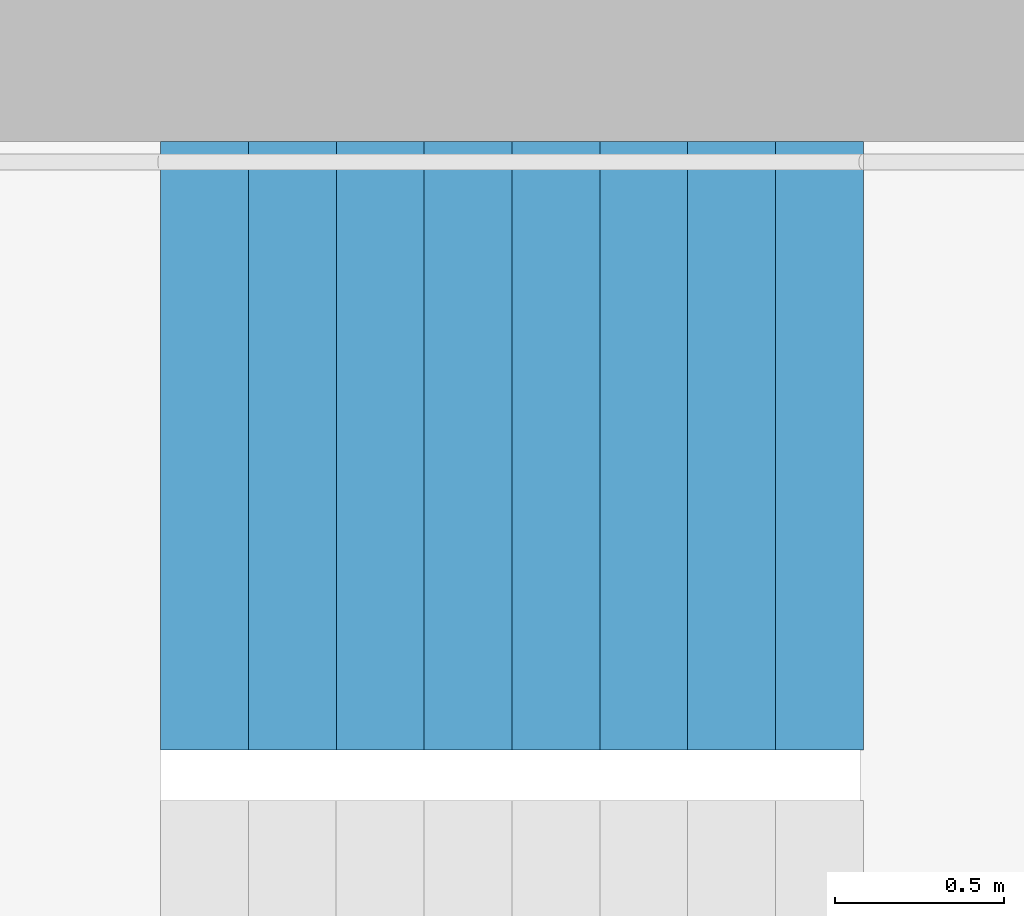
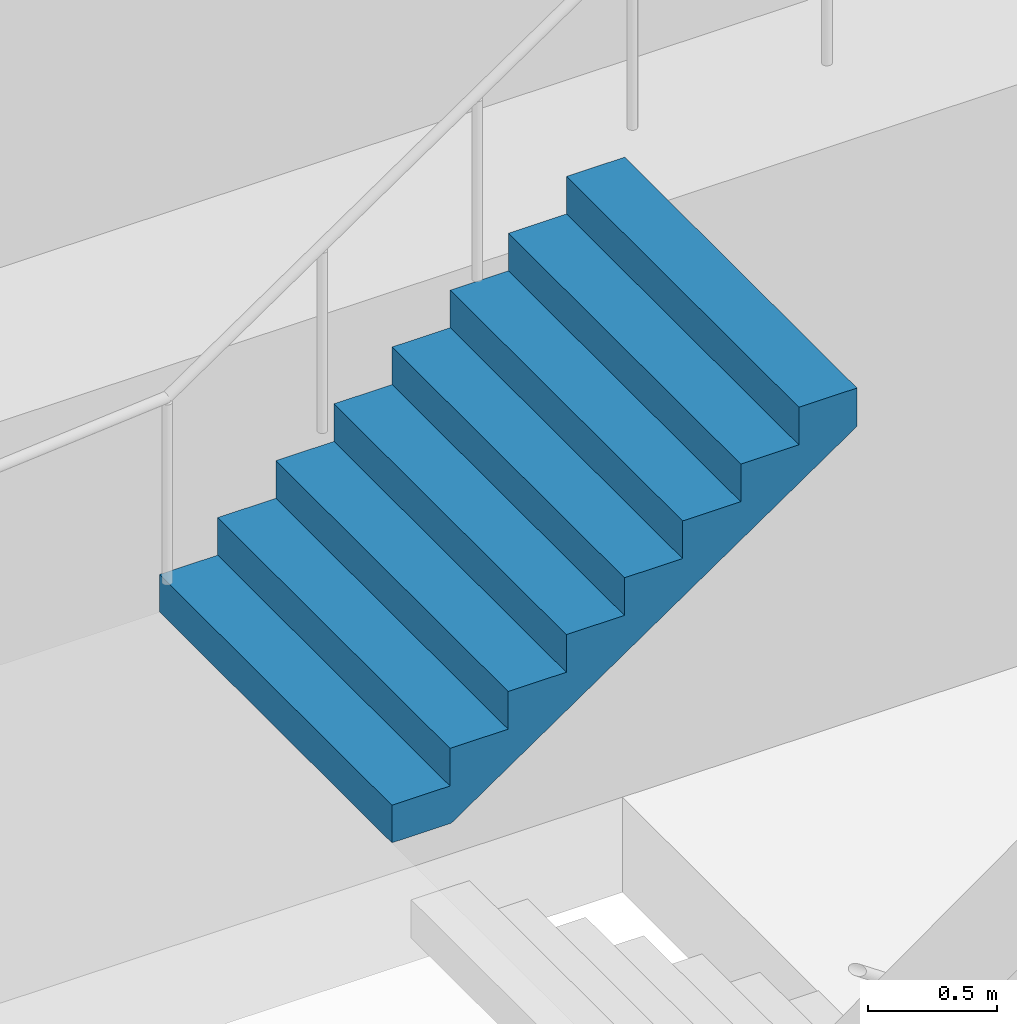
# One storey, part 24 of 25: 1 stair flight, 1 element without a shape of its own.
"""IFC4 building model written with IfcOpenShell, lengths in metres."""

from ifc_helpers import new_model, si_unit, direction, frame, origin, place, context, subcontext, project, spatial, triangles, material, type_object, element, aggregate, save


model = new_model("IFC4")

# Units and contexts
model_context = context("Model", 3, precision=1e-05, world=origin(), true_north=direction((0.0, 1.0)))
body_context = subcontext(model_context, "Body", "Model", "MODEL_VIEW")
ifc_project = project(units=[si_unit("LENGTHUNIT", "METRE"), si_unit("AREAUNIT", "SQUARE_METRE"), si_unit("VOLUMEUNIT", "CUBIC_METRE"), si_unit("PLANEANGLEUNIT", "RADIAN"), si_unit("MASSUNIT", "GRAM", prefix="KILO")], contexts=[model_context])

# Site, building, storey
site_placement = place(None, origin())
site = spatial("IfcSite", under=ifc_project, at=site_placement, CompositionType="ELEMENT")
building_placement = place(site_placement, origin())
building = spatial("IfcBuilding", under=site, at=building_placement, Name="Hakoniwa Tower and Hamabe Station Hall", CompositionType="ELEMENT")
storey_placement = place(building_placement, frame((0.0, 0.0, 147.0)))
storey = spatial("IfcBuildingStorey", under=building, at=storey_placement, Name="L41", CompositionType="ELEMENT", Elevation=147.0)

# Stair, stair flight
ifc_material_1 = material(Name="Concrete C40", Category="concrete")
stair_type = type_object("IfcStairType", Name="ESCAPE STAIR 1800", PredefinedType="HALF_TURN_STAIR", material=ifc_material_1)
stair_placement = place(storey_placement, origin())
stair = element("IfcStair", 1, at=stair_placement, inside=storey, type_object=stair_type, Name="Escape stair ST-3 L41", PredefinedType="HALF_TURN_STAIR")
ifc_material_2 = material(Name="Concrete C40", Category="concrete")
stair_flight_type = type_object("IfcStairFlightType", Name="STAIR FLIGHT 1800", PredefinedType="STRAIGHT", material=ifc_material_2)
stair_flight_placement = place(storey_placement, frame((22.320068359375, 6.60009765625, 1.60009765625), z_axis=(0.0, 0.0, 1.0), x_axis=(1.0, 0.0, 0.0)))
stair_flight = element("IfcStairFlight", 2, at=stair_flight_placement, type_object=stair_flight_type, Name="ST-3 flight 2", NumberOfRisers=9, NumberOfTreads=8, PredefinedType="STRAIGHT", RiserHeight=0.177777778, TreadLength=0.26, context=body_context, shape_type="Tessellation", body=[
    triangles([(0.0, 0.89990234375, 0.0), (0.260009765625, 0.89990234375, 0.0), (0.265625, 0.89990234375, 0.0), (0.52001953125, 0.89990234375, 0.174072265625), (0.780029296875, 0.89990234375, 0.351806640625), (1.0400390625, 0.89990234375, 0.529541015625), (1.300048828125, 0.89990234375, 0.707275390625), (1.56005859375, 0.89990234375, 0.885009765625), (1.820068359375, 0.89990234375, 1.062744140625), (2.080078125, 0.89990234375, 1.24072265625), (2.080078125, 0.89990234375, 1.422119140625), (1.820068359375, 0.89990234375, 1.422119140625), (1.820068359375, 0.89990234375, 1.244384765625), (1.56005859375, 0.89990234375, 1.244384765625), (1.56005859375, 0.89990234375, 1.066650390625), (1.300048828125, 0.89990234375, 1.066650390625), (1.300048828125, 0.89990234375, 0.888916015625), (1.0400390625, 0.89990234375, 0.888916015625), (1.0400390625, 0.89990234375, 0.711181640625), (0.780029296875, 0.89990234375, 0.711181640625), (0.780029296875, 0.89990234375, 0.533447265625), (0.52001953125, 0.89990234375, 0.533447265625), (0.52001953125, 0.89990234375, 0.35546875), (0.265625, 0.89990234375, 0.35546875), (0.260009765625, 0.89990234375, 0.35546875), (0.260009765625, 0.89990234375, 0.177734375), (0.0, 0.89990234375, 0.177734375), (0.0, 0.06005859375, 0.0), (0.260009765625, 0.06005859375, 0.0), (0.265625, 0.06005859375, 0.0), (0.52001953125, 0.06005859375, 0.174072265625), (0.780029296875, 0.06005859375, 0.351806640625), (1.0400390625, 0.06005859375, 0.529541015625), (1.300048828125, 0.06005859375, 0.707275390625), (1.56005859375, 0.06005859375, 0.885009765625), (1.820068359375, 0.06005859375, 1.062744140625), (2.080078125, 0.06005859375, 1.24072265625), (2.080078125, 0.06005859375, 1.422119140625), (1.820068359375, 0.06005859375, 1.422119140625), (1.820068359375, 0.06005859375, 1.244384765625), (1.56005859375, 0.06005859375, 1.244384765625), (1.56005859375, 0.06005859375, 1.066650390625), (1.300048828125, 0.06005859375, 1.066650390625), (1.300048828125, 0.06005859375, 0.888916015625), (1.0400390625, 0.06005859375, 0.888916015625), (1.0400390625, 0.06005859375, 0.711181640625), (0.780029296875, 0.06005859375, 0.711181640625), (0.780029296875, 0.06005859375, 0.533447265625), (0.52001953125, 0.06005859375, 0.533447265625), (0.52001953125, 0.06005859375, 0.35546875), (0.265625, 0.06005859375, 0.35546875), (0.260009765625, 0.06005859375, 0.35546875), (0.260009765625, 0.06005859375, 0.177734375), (0.0, 0.06005859375, 0.177734375), (0.0, 0.04296875, 0.0), (0.260009765625, 0.04296875, 0.0), (0.265625, 0.04296875, 0.0), (0.52001953125, 0.04296875, 0.174072265625), (0.780029296875, 0.04296875, 0.351806640625), (1.0400390625, 0.04296875, 0.529541015625), (1.300048828125, 0.04296875, 0.707275390625), (1.56005859375, 0.04296875, 0.885009765625), (1.820068359375, 0.04296875, 1.062744140625), (2.080078125, 0.04296875, 1.24072265625), (2.080078125, 0.04296875, 1.422119140625), (1.820068359375, 0.04296875, 1.422119140625), (1.820068359375, 0.04296875, 1.244384765625), (1.56005859375, 0.04296875, 1.244384765625), (1.56005859375, 0.04296875, 1.066650390625), (1.300048828125, 0.04296875, 1.066650390625), (1.300048828125, 0.04296875, 0.888916015625), (1.0400390625, 0.04296875, 0.888916015625), (1.0400390625, 0.04296875, 0.711181640625), (0.780029296875, 0.04296875, 0.711181640625), (0.780029296875, 0.04296875, 0.533447265625), (0.52001953125, 0.04296875, 0.533447265625), (0.52001953125, 0.04296875, 0.35546875), (0.265625, 0.04296875, 0.35546875), (0.260009765625, 0.04296875, 0.35546875), (0.260009765625, 0.04296875, 0.177734375), (0.0, 0.04296875, 0.177734375), (0.0, 0.025634765625, 0.0), (0.260009765625, 0.025634765625, 0.0), (0.265625, 0.025634765625, 0.0), (0.52001953125, 0.025634765625, 0.174072265625), (0.780029296875, 0.025634765625, 0.351806640625), (1.0400390625, 0.025634765625, 0.529541015625), (1.300048828125, 0.025634765625, 0.707275390625), (1.56005859375, 0.025634765625, 0.885009765625), (1.820068359375, 0.025634765625, 1.062744140625), (2.080078125, 0.025634765625, 1.24072265625), (2.080078125, 0.025634765625, 1.422119140625), (1.820068359375, 0.025634765625, 1.422119140625), (1.820068359375, 0.025634765625, 1.244384765625), (1.56005859375, 0.025634765625, 1.244384765625), (1.56005859375, 0.025634765625, 1.066650390625), (1.300048828125, 0.025634765625, 1.066650390625), (1.300048828125, 0.025634765625, 0.888916015625), (1.0400390625, 0.025634765625, 0.888916015625), (1.0400390625, 0.025634765625, 0.711181640625), (0.780029296875, 0.025634765625, 0.711181640625), (0.780029296875, 0.025634765625, 0.533447265625), (0.52001953125, 0.025634765625, 0.533447265625), (0.52001953125, 0.025634765625, 0.35546875), (0.265625, 0.025634765625, 0.35546875), (0.260009765625, 0.025634765625, 0.35546875), (0.260009765625, 0.025634765625, 0.177734375), (0.0, 0.025634765625, 0.177734375), (0.0, 0.008544921875, 0.0), (0.260009765625, 0.008544921875, 0.0), (0.265625, 0.008544921875, 0.0), (0.52001953125, 0.008544921875, 0.174072265625), (0.780029296875, 0.008544921875, 0.351806640625), (1.0400390625, 0.008544921875, 0.529541015625), (1.300048828125, 0.008544921875, 0.707275390625), (1.56005859375, 0.008544921875, 0.885009765625), (1.820068359375, 0.008544921875, 1.062744140625), (2.080078125, 0.008544921875, 1.24072265625), (2.080078125, 0.008544921875, 1.422119140625), (1.820068359375, 0.008544921875, 1.422119140625), (1.820068359375, 0.008544921875, 1.244384765625), (1.56005859375, 0.008544921875, 1.244384765625), (1.56005859375, 0.008544921875, 1.066650390625), (1.300048828125, 0.008544921875, 1.066650390625), (1.300048828125, 0.008544921875, 0.888916015625), (1.0400390625, 0.008544921875, 0.888916015625), (1.0400390625, 0.008544921875, 0.711181640625), (0.780029296875, 0.008544921875, 0.711181640625), (0.780029296875, 0.008544921875, 0.533447265625), (0.52001953125, 0.008544921875, 0.533447265625), (0.52001953125, 0.008544921875, 0.35546875), (0.265625, 0.008544921875, 0.35546875), (0.260009765625, 0.008544921875, 0.35546875), (0.260009765625, 0.008544921875, 0.177734375), (0.0, 0.008544921875, 0.177734375), (0.0, -0.008544921875, 0.0), (0.260009765625, -0.008544921875, 0.0), (0.265625, -0.008544921875, 0.0), (0.52001953125, -0.008544921875, 0.174072265625), (0.780029296875, -0.008544921875, 0.351806640625), (1.0400390625, -0.008544921875, 0.529541015625), (1.300048828125, -0.008544921875, 0.707275390625), (1.56005859375, -0.008544921875, 0.885009765625), (1.820068359375, -0.008544921875, 1.062744140625), (2.080078125, -0.008544921875, 1.24072265625), (2.080078125, -0.008544921875, 1.422119140625), (1.820068359375, -0.008544921875, 1.422119140625), (1.820068359375, -0.008544921875, 1.244384765625), (1.56005859375, -0.008544921875, 1.244384765625), (1.56005859375, -0.008544921875, 1.066650390625), (1.300048828125, -0.008544921875, 1.066650390625), (1.300048828125, -0.008544921875, 0.888916015625), (1.0400390625, -0.008544921875, 0.888916015625), (1.0400390625, -0.008544921875, 0.711181640625), (0.780029296875, -0.008544921875, 0.711181640625), (0.780029296875, -0.008544921875, 0.533447265625), (0.52001953125, -0.008544921875, 0.533447265625), (0.52001953125, -0.008544921875, 0.35546875), (0.265625, -0.008544921875, 0.35546875), (0.260009765625, -0.008544921875, 0.35546875), (0.260009765625, -0.008544921875, 0.177734375), (0.0, -0.008544921875, 0.177734375), (0.0, -0.025634765625, 0.0), (0.260009765625, -0.025634765625, 0.0), (0.265625, -0.025634765625, 0.0), (0.52001953125, -0.025634765625, 0.174072265625), (0.780029296875, -0.025634765625, 0.351806640625), (1.0400390625, -0.025634765625, 0.529541015625), (1.300048828125, -0.025634765625, 0.707275390625), (1.56005859375, -0.025634765625, 0.885009765625), (1.820068359375, -0.025634765625, 1.062744140625), (2.080078125, -0.025634765625, 1.24072265625), (2.080078125, -0.025634765625, 1.422119140625), (1.820068359375, -0.025634765625, 1.422119140625), (1.820068359375, -0.025634765625, 1.244384765625), (1.56005859375, -0.025634765625, 1.244384765625), (1.56005859375, -0.025634765625, 1.066650390625), (1.300048828125, -0.025634765625, 1.066650390625), (1.300048828125, -0.025634765625, 0.888916015625), (1.0400390625, -0.025634765625, 0.888916015625), (1.0400390625, -0.025634765625, 0.711181640625), (0.780029296875, -0.025634765625, 0.711181640625), (0.780029296875, -0.025634765625, 0.533447265625), (0.52001953125, -0.025634765625, 0.533447265625), (0.52001953125, -0.025634765625, 0.35546875), (0.265625, -0.025634765625, 0.35546875), (0.260009765625, -0.025634765625, 0.35546875), (0.260009765625, -0.025634765625, 0.177734375), (0.0, -0.025634765625, 0.177734375), (0.0, -0.04296875, 0.0), (0.260009765625, -0.04296875, 0.0), (0.265625, -0.04296875, 0.0), (0.52001953125, -0.04296875, 0.174072265625), (0.780029296875, -0.04296875, 0.351806640625), (1.0400390625, -0.04296875, 0.529541015625), (1.300048828125, -0.04296875, 0.707275390625), (1.56005859375, -0.04296875, 0.885009765625), (1.820068359375, -0.04296875, 1.062744140625), (2.080078125, -0.04296875, 1.24072265625), (2.080078125, -0.04296875, 1.422119140625), (1.820068359375, -0.04296875, 1.422119140625), (1.820068359375, -0.04296875, 1.244384765625), (1.56005859375, -0.04296875, 1.244384765625), (1.56005859375, -0.04296875, 1.066650390625), (1.300048828125, -0.04296875, 1.066650390625), (1.300048828125, -0.04296875, 0.888916015625), (1.0400390625, -0.04296875, 0.888916015625), (1.0400390625, -0.04296875, 0.711181640625), (0.780029296875, -0.04296875, 0.711181640625), (0.780029296875, -0.04296875, 0.533447265625), (0.52001953125, -0.04296875, 0.533447265625), (0.52001953125, -0.04296875, 0.35546875), (0.265625, -0.04296875, 0.35546875), (0.260009765625, -0.04296875, 0.35546875), (0.260009765625, -0.04296875, 0.177734375), (0.0, -0.04296875, 0.177734375), (0.0, -0.06005859375, 0.0), (0.260009765625, -0.06005859375, 0.0), (0.265625, -0.06005859375, 0.0), (0.52001953125, -0.06005859375, 0.174072265625), (0.780029296875, -0.06005859375, 0.351806640625), (1.0400390625, -0.06005859375, 0.529541015625), (1.300048828125, -0.06005859375, 0.707275390625), (1.56005859375, -0.06005859375, 0.885009765625), (1.820068359375, -0.06005859375, 1.062744140625), (2.080078125, -0.06005859375, 1.24072265625), (2.080078125, -0.06005859375, 1.422119140625), (1.820068359375, -0.06005859375, 1.422119140625), (1.820068359375, -0.06005859375, 1.244384765625), (1.56005859375, -0.06005859375, 1.244384765625), (1.56005859375, -0.06005859375, 1.066650390625), (1.300048828125, -0.06005859375, 1.066650390625), (1.300048828125, -0.06005859375, 0.888916015625), (1.0400390625, -0.06005859375, 0.888916015625), (1.0400390625, -0.06005859375, 0.711181640625), (0.780029296875, -0.06005859375, 0.711181640625), (0.780029296875, -0.06005859375, 0.533447265625), (0.52001953125, -0.06005859375, 0.533447265625), (0.52001953125, -0.06005859375, 0.35546875), (0.265625, -0.06005859375, 0.35546875), (0.260009765625, -0.06005859375, 0.35546875), (0.260009765625, -0.06005859375, 0.177734375), (0.0, -0.06005859375, 0.177734375), (0.0, -0.89990234375, 0.0), (0.260009765625, -0.89990234375, 0.0), (0.265625, -0.89990234375, 0.0), (0.52001953125, -0.89990234375, 0.174072265625), (0.780029296875, -0.89990234375, 0.351806640625), (1.0400390625, -0.89990234375, 0.529541015625), (1.300048828125, -0.89990234375, 0.707275390625), (1.56005859375, -0.89990234375, 0.885009765625), (1.820068359375, -0.89990234375, 1.062744140625), (2.080078125, -0.89990234375, 1.24072265625), (2.080078125, -0.89990234375, 1.422119140625), (1.820068359375, -0.89990234375, 1.422119140625), (1.820068359375, -0.89990234375, 1.244384765625), (1.56005859375, -0.89990234375, 1.244384765625), (1.56005859375, -0.89990234375, 1.066650390625), (1.300048828125, -0.89990234375, 1.066650390625), (1.300048828125, -0.89990234375, 0.888916015625), (1.0400390625, -0.89990234375, 0.888916015625), (1.0400390625, -0.89990234375, 0.711181640625), (0.780029296875, -0.89990234375, 0.711181640625), (0.780029296875, -0.89990234375, 0.533447265625), (0.52001953125, -0.89990234375, 0.533447265625), (0.52001953125, -0.89990234375, 0.35546875), (0.265625, -0.89990234375, 0.35546875), (0.260009765625, -0.89990234375, 0.35546875), (0.260009765625, -0.89990234375, 0.177734375), (0.0, -0.89990234375, 0.177734375)], [[2, 27, 26], [245, 269, 270], [2, 1, 27], [245, 270, 244], [3, 25, 24], [246, 267, 268], [3, 26, 25], [246, 268, 269], [3, 2, 26], [246, 269, 245], [4, 24, 23], [247, 266, 267], [4, 3, 24], [247, 267, 246], [5, 22, 21], [248, 264, 265], [5, 23, 22], [248, 265, 266], [5, 4, 23], [248, 266, 247], [6, 20, 19], [249, 262, 263], [6, 21, 20], [249, 263, 264], [6, 5, 21], [249, 264, 248], [7, 18, 17], [250, 260, 261], [7, 19, 18], [250, 261, 262], [7, 6, 19], [250, 262, 249], [8, 16, 15], [251, 258, 259], [8, 17, 16], [251, 259, 260], [8, 7, 17], [251, 260, 250], [9, 14, 13], [252, 256, 257], [9, 15, 14], [252, 257, 258], [9, 8, 15], [252, 258, 251], [10, 12, 11], [253, 254, 255], [10, 13, 12], [253, 255, 256], [10, 9, 13], [253, 256, 252], [1, 2, 29], [1, 29, 28], [28, 29, 56], [28, 56, 55], [55, 56, 83], [55, 83, 82], [82, 83, 110], [82, 110, 109], [109, 110, 137], [109, 137, 136], [136, 137, 164], [136, 164, 163], [163, 164, 191], [163, 191, 190], [190, 191, 218], [190, 218, 217], [217, 218, 245], [217, 245, 244], [2, 3, 30], [2, 30, 29], [29, 30, 57], [29, 57, 56], [56, 57, 84], [56, 84, 83], [83, 84, 111], [83, 111, 110], [110, 111, 138], [110, 138, 137], [137, 138, 165], [137, 165, 164], [164, 165, 192], [164, 192, 191], [191, 192, 219], [191, 219, 218], [218, 219, 246], [218, 246, 245], [3, 4, 31], [3, 31, 30], [30, 31, 58], [30, 58, 57], [57, 58, 85], [57, 85, 84], [84, 85, 112], [84, 112, 111], [111, 112, 139], [111, 139, 138], [138, 139, 166], [138, 166, 165], [165, 166, 193], [165, 193, 192], [192, 193, 220], [192, 220, 219], [219, 220, 247], [219, 247, 246], [4, 5, 32], [4, 32, 31], [31, 32, 59], [31, 59, 58], [58, 59, 86], [58, 86, 85], [85, 86, 113], [85, 113, 112], [112, 113, 140], [112, 140, 139], [139, 140, 167], [139, 167, 166], [166, 167, 194], [166, 194, 193], [193, 194, 221], [193, 221, 220], [220, 221, 248], [220, 248, 247], [5, 6, 33], [5, 33, 32], [32, 33, 60], [32, 60, 59], [59, 60, 87], [59, 87, 86], [86, 87, 114], [86, 114, 113], [113, 114, 141], [113, 141, 140], [140, 141, 168], [140, 168, 167], [167, 168, 195], [167, 195, 194], [194, 195, 222], [194, 222, 221], [221, 222, 249], [221, 249, 248], [6, 7, 34], [6, 34, 33], [33, 34, 61], [33, 61, 60], [60, 61, 88], [60, 88, 87], [87, 88, 115], [87, 115, 114], [114, 115, 142], [114, 142, 141], [141, 142, 169], [141, 169, 168], [168, 169, 196], [168, 196, 195], [195, 196, 223], [195, 223, 222], [222, 223, 250], [222, 250, 249], [7, 8, 35], [7, 35, 34], [34, 35, 62], [34, 62, 61], [61, 62, 89], [61, 89, 88], [88, 89, 116], [88, 116, 115], [115, 116, 143], [115, 143, 142], [142, 143, 170], [142, 170, 169], [169, 170, 197], [169, 197, 196], [196, 197, 224], [196, 224, 223], [223, 224, 251], [223, 251, 250], [8, 9, 36], [8, 36, 35], [35, 36, 63], [35, 63, 62], [62, 63, 90], [62, 90, 89], [89, 90, 117], [89, 117, 116], [116, 117, 144], [116, 144, 143], [143, 144, 171], [143, 171, 170], [170, 171, 198], [170, 198, 197], [197, 198, 225], [197, 225, 224], [224, 225, 252], [224, 252, 251], [9, 10, 37], [9, 37, 36], [36, 37, 64], [36, 64, 63], [63, 64, 91], [63, 91, 90], [90, 91, 118], [90, 118, 117], [117, 118, 145], [117, 145, 144], [144, 145, 172], [144, 172, 171], [171, 172, 199], [171, 199, 198], [198, 199, 226], [198, 226, 225], [225, 226, 253], [225, 253, 252], [10, 11, 38], [10, 38, 37], [37, 38, 65], [37, 65, 64], [64, 65, 92], [64, 92, 91], [91, 92, 119], [91, 119, 118], [118, 119, 146], [118, 146, 145], [145, 146, 173], [145, 173, 172], [172, 173, 200], [172, 200, 199], [199, 200, 227], [199, 227, 226], [226, 227, 254], [226, 254, 253], [11, 12, 39], [11, 39, 38], [38, 39, 66], [38, 66, 65], [65, 66, 93], [65, 93, 92], [92, 93, 120], [92, 120, 119], [119, 120, 147], [119, 147, 146], [146, 147, 174], [146, 174, 173], [173, 174, 201], [173, 201, 200], [200, 201, 228], [200, 228, 227], [227, 228, 255], [227, 255, 254], [12, 13, 40], [12, 40, 39], [39, 40, 67], [39, 67, 66], [66, 67, 94], [66, 94, 93], [93, 94, 121], [93, 121, 120], [120, 121, 148], [120, 148, 147], [147, 148, 175], [147, 175, 174], [174, 175, 202], [174, 202, 201], [201, 202, 229], [201, 229, 228], [228, 229, 256], [228, 256, 255], [13, 14, 41], [13, 41, 40], [40, 41, 68], [40, 68, 67], [67, 68, 95], [67, 95, 94], [94, 95, 122], [94, 122, 121], [121, 122, 149], [121, 149, 148], [148, 149, 176], [148, 176, 175], [175, 176, 203], [175, 203, 202], [202, 203, 230], [202, 230, 229], [229, 230, 257], [229, 257, 256], [14, 15, 42], [14, 42, 41], [41, 42, 69], [41, 69, 68], [68, 69, 96], [68, 96, 95], [95, 96, 123], [95, 123, 122], [122, 123, 150], [122, 150, 149], [149, 150, 177], [149, 177, 176], [176, 177, 204], [176, 204, 203], [203, 204, 231], [203, 231, 230], [230, 231, 258], [230, 258, 257], [15, 16, 43], [15, 43, 42], [42, 43, 70], [42, 70, 69], [69, 70, 97], [69, 97, 96], [96, 97, 124], [96, 124, 123], [123, 124, 151], [123, 151, 150], [150, 151, 178], [150, 178, 177], [177, 178, 205], [177, 205, 204], [204, 205, 232], [204, 232, 231], [231, 232, 259], [231, 259, 258], [16, 17, 44], [16, 44, 43], [43, 44, 71], [43, 71, 70], [70, 71, 98], [70, 98, 97], [97, 98, 125], [97, 125, 124], [124, 125, 152], [124, 152, 151], [151, 152, 179], [151, 179, 178], [178, 179, 206], [178, 206, 205], [205, 206, 233], [205, 233, 232], [232, 233, 260], [232, 260, 259], [17, 18, 45], [17, 45, 44], [44, 45, 72], [44, 72, 71], [71, 72, 99], [71, 99, 98], [98, 99, 126], [98, 126, 125], [125, 126, 153], [125, 153, 152], [152, 153, 180], [152, 180, 179], [179, 180, 207], [179, 207, 206], [206, 207, 234], [206, 234, 233], [233, 234, 261], [233, 261, 260], [18, 19, 46], [18, 46, 45], [45, 46, 73], [45, 73, 72], [72, 73, 100], [72, 100, 99], [99, 100, 127], [99, 127, 126], [126, 127, 154], [126, 154, 153], [153, 154, 181], [153, 181, 180], [180, 181, 208], [180, 208, 207], [207, 208, 235], [207, 235, 234], [234, 235, 262], [234, 262, 261], [19, 20, 47], [19, 47, 46], [46, 47, 74], [46, 74, 73], [73, 74, 101], [73, 101, 100], [100, 101, 128], [100, 128, 127], [127, 128, 155], [127, 155, 154], [154, 155, 182], [154, 182, 181], [181, 182, 209], [181, 209, 208], [208, 209, 236], [208, 236, 235], [235, 236, 263], [235, 263, 262], [20, 21, 48], [20, 48, 47], [47, 48, 75], [47, 75, 74], [74, 75, 102], [74, 102, 101], [101, 102, 129], [101, 129, 128], [128, 129, 156], [128, 156, 155], [155, 156, 183], [155, 183, 182], [182, 183, 210], [182, 210, 209], [209, 210, 237], [209, 237, 236], [236, 237, 264], [236, 264, 263], [21, 22, 49], [21, 49, 48], [48, 49, 76], [48, 76, 75], [75, 76, 103], [75, 103, 102], [102, 103, 130], [102, 130, 129], [129, 130, 157], [129, 157, 156], [156, 157, 184], [156, 184, 183], [183, 184, 211], [183, 211, 210], [210, 211, 238], [210, 238, 237], [237, 238, 265], [237, 265, 264], [22, 23, 50], [22, 50, 49], [49, 50, 77], [49, 77, 76], [76, 77, 104], [76, 104, 103], [103, 104, 131], [103, 131, 130], [130, 131, 158], [130, 158, 157], [157, 158, 185], [157, 185, 184], [184, 185, 212], [184, 212, 211], [211, 212, 239], [211, 239, 238], [238, 239, 266], [238, 266, 265], [23, 24, 51], [23, 51, 50], [50, 51, 78], [50, 78, 77], [77, 78, 105], [77, 105, 104], [104, 105, 132], [104, 132, 131], [131, 132, 159], [131, 159, 158], [158, 159, 186], [158, 186, 185], [185, 186, 213], [185, 213, 212], [212, 213, 240], [212, 240, 239], [239, 240, 267], [239, 267, 266], [24, 25, 52], [24, 52, 51], [51, 52, 79], [51, 79, 78], [78, 79, 106], [78, 106, 105], [105, 106, 133], [105, 133, 132], [132, 133, 160], [132, 160, 159], [159, 160, 187], [159, 187, 186], [186, 187, 214], [186, 214, 213], [213, 214, 241], [213, 241, 240], [240, 241, 268], [240, 268, 267], [25, 26, 53], [25, 53, 52], [52, 53, 80], [52, 80, 79], [79, 80, 107], [79, 107, 106], [106, 107, 134], [106, 134, 133], [133, 134, 161], [133, 161, 160], [160, 161, 188], [160, 188, 187], [187, 188, 215], [187, 215, 214], [214, 215, 242], [214, 242, 241], [241, 242, 269], [241, 269, 268], [26, 27, 54], [26, 54, 53], [53, 54, 81], [53, 81, 80], [80, 81, 108], [80, 108, 107], [107, 108, 135], [107, 135, 134], [134, 135, 162], [134, 162, 161], [161, 162, 189], [161, 189, 188], [188, 189, 216], [188, 216, 215], [215, 216, 243], [215, 243, 242], [242, 243, 270], [242, 270, 269], [27, 1, 28], [27, 28, 54], [54, 28, 55], [54, 55, 81], [81, 55, 82], [81, 82, 108], [108, 82, 109], [108, 109, 135], [135, 109, 136], [135, 136, 162], [162, 136, 163], [162, 163, 189], [189, 163, 190], [189, 190, 216], [216, 190, 217], [216, 217, 243], [243, 217, 244], [243, 244, 270]], closed=True),
])
aggregate(stair, [stair_flight])

save(model, "model.ifc")
